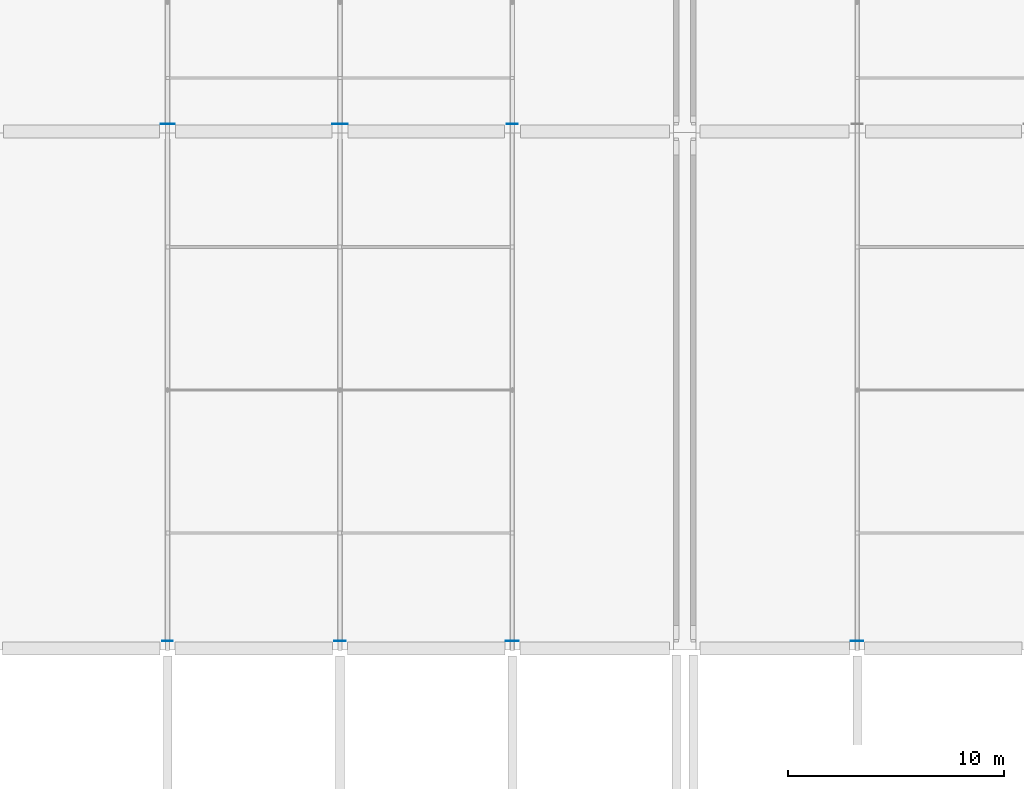
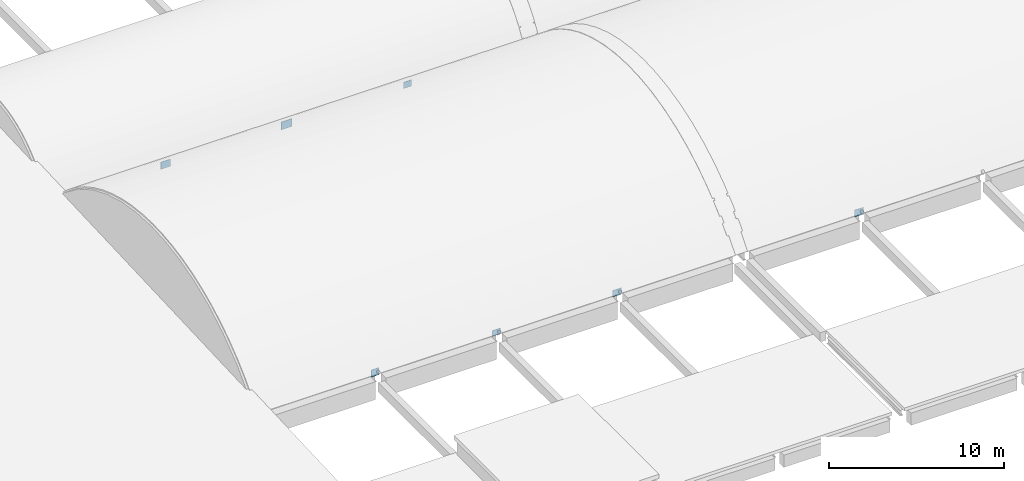
# One storey, part 45 of 57: 7 plates.
"""IFC4 building model written with IfcOpenShell, lengths in metres."""

from ifc_helpers import new_model, si_unit, direction, frame, origin, origin_2d, place, context, subcontext, project, spatial, rectangle, extrude, material, layer, layer_set, type_object, element, save


model = new_model("IFC4")

# Units and contexts
model_context = context("Model", 3, precision=1e-05, world=origin(), true_north=direction((0.0, 1.0)))
body_context = subcontext(model_context, "Body", "Model", "MODEL_VIEW")
ifc_project = project(units=[si_unit("LENGTHUNIT", "METRE"), si_unit("AREAUNIT", "SQUARE_METRE"), si_unit("VOLUMEUNIT", "CUBIC_METRE"), si_unit("PLANEANGLEUNIT", "RADIAN"), si_unit("MASSUNIT", "GRAM", prefix="KILO"), si_unit("THERMODYNAMICTEMPERATUREUNIT", "KELVIN"), si_unit("POWERUNIT", "WATT")], contexts=[model_context])

# Site, building, storey
site_placement = place(None, origin())
site = spatial("IfcSite", under=ifc_project, at=site_placement, CompositionType="ELEMENT")
building_placement = place(site_placement, origin())
building = spatial("IfcBuilding", under=site, at=building_placement, Name="Kronsvod Quay Wholesale Market", CompositionType="ELEMENT")
storey_placement = place(building_placement, frame((0.0, 0.0, 13.199951171875)))
storey = spatial("IfcBuildingStorey", under=building, at=storey_placement, Name="L03", CompositionType="ELEMENT", Elevation=13.199951171875)

# Plates
ifc_material_1 = material(Name="Steel S355", Category="steel")
ifc_layer_1 = layer(ifc_material_1, 0.02197265625)
ifc_layer_set_1 = layer_set([ifc_layer_1], Name="Steel S355")
plate_type_1 = type_object("IfcPlateType", Name="GussetPlate_GP02", PredefinedType="SHEET", material=ifc_layer_set_1)
plate_1_placement = place(storey_placement, frame((40.0, 54.35009765625, -0.329833984375), z_axis=(0.0, 0.0, 1.0), x_axis=(1.0, 0.0, 0.0)))
element("IfcPlate", 1, at=plate_1_placement, inside=storey, type_object=plate_type_1, Name="GPL-0001", PredefinedType="SHEET", context=body_context, shape_type="SweptSolid", body=[
    extrude(rectangle(XDim=0.5, YDim=0.02197265625, at=origin_2d()), origin(), (0.0, 0.0, 1.0), 0.5),
])
ifc_material_2 = material(Name="Steel S355", Category="steel")
ifc_layer_2 = layer(ifc_material_2, 0.02392578125)
ifc_layer_set_2 = layer_set([ifc_layer_2], Name="Steel S355")
plate_type_2 = type_object("IfcPlateType", Name="GussetPlate_GP03", PredefinedType="SHEET", material=ifc_layer_set_2)
plate_2_placement = place(storey_placement, frame((48.0, 54.35009765625, -0.27978515625), z_axis=(0.0, 0.0, 1.0), x_axis=(1.0, 0.0, 0.0)))
element("IfcPlate", 2, at=plate_2_placement, inside=storey, type_object=plate_type_2, Name="GPL-0002", PredefinedType="SHEET", context=body_context, shape_type="SweptSolid", body=[
    extrude(rectangle(XDim=0.550048828125, YDim=0.02392578125, at=origin_2d()), origin(), (0.0, 0.0, 1.0), 0.39990234375),
])
ifc_material_3 = material(Name="Steel S355", Category="steel")
ifc_layer_3 = layer(ifc_material_3, 0.02490234375)
ifc_layer_set_3 = layer_set([ifc_layer_3], Name="Steel S355")
plate_type_3 = type_object("IfcPlateType", Name="GussetPlate_GP04", PredefinedType="SHEET", material=ifc_layer_set_3)
plate_3_placement = place(storey_placement, frame((56.0, 54.35009765625, -0.3046875), z_axis=(0.0, 0.0, 1.0), x_axis=(1.0, 0.0, 0.0)))
element("IfcPlate", 3, at=plate_3_placement, inside=storey, type_object=plate_type_3, Name="GPL-0003", PredefinedType="SHEET", context=body_context, shape_type="SweptSolid", body=[
    extrude(rectangle(XDim=0.60009765625, YDim=0.02490234375, at=origin_2d()), origin(), (0.0, 0.0, 1.0), 0.449951171875),
])
ifc_material_4 = material(Name="Steel S355", Category="steel")
ifc_layer_4 = layer(ifc_material_4, 0.028076171875)
ifc_layer_set_4 = layer_set([ifc_layer_4], Name="Steel S355")
plate_type_4 = type_object("IfcPlateType", Name="GussetPlate_GP05", PredefinedType="SHEET", material=ifc_layer_set_4)
plate_4_placement = place(storey_placement, frame((40.0, 78.35009765625, -0.329833984375), z_axis=(0.0, 0.0, 1.0), x_axis=(1.0, 0.0, 0.0)))
element("IfcPlate", 4, at=plate_4_placement, inside=storey, type_object=plate_type_4, Name="GPL-0004", PredefinedType="SHEET", context=body_context, shape_type="SweptSolid", body=[
    extrude(rectangle(XDim=0.64990234375, YDim=0.028076171875, at=origin_2d()), origin(), (0.0, 0.0, 1.0), 0.5),
])
ifc_material_5 = material(Name="Steel S355", Category="steel")
ifc_layer_5 = layer(ifc_material_5, 0.030029296875)
ifc_layer_set_5 = layer_set([ifc_layer_5], Name="Steel S355")
plate_type_5 = type_object("IfcPlateType", Name="GussetPlate_GP06", PredefinedType="SHEET", material=ifc_layer_set_5)
plate_5_placement = place(storey_placement, frame((48.0, 78.35009765625, -0.35498046875), z_axis=(0.0, 0.0, 1.0), x_axis=(1.0, 0.0, 0.0)))
element("IfcPlate", 5, at=plate_5_placement, inside=storey, type_object=plate_type_5, Name="GPL-0005", PredefinedType="SHEET", context=body_context, shape_type="SweptSolid", body=[
    extrude(rectangle(XDim=0.699951171875, YDim=0.030029296875, at=origin_2d()), origin(), (0.0, 0.0, 1.0), 0.550048828125),
])
ifc_material_6 = material(Name="Steel S355", Category="steel")
ifc_layer_6 = layer(ifc_material_6, 0.02197265625)
ifc_layer_set_6 = layer_set([ifc_layer_6], Name="Steel S355")
plate_type_6 = type_object("IfcPlateType", Name="GussetPlate_GP07", PredefinedType="SHEET", material=ifc_layer_set_6)
plate_6_placement = place(storey_placement, frame((56.0, 78.35009765625, -0.2998046875), z_axis=(0.0, 0.0, 1.0), x_axis=(1.0, 0.0, 0.0)))
element("IfcPlate", 6, at=plate_6_placement, inside=storey, type_object=plate_type_6, Name="GPL-0006", PredefinedType="SHEET", context=body_context, shape_type="SweptSolid", body=[
    extrude(rectangle(XDim=0.52001953125, YDim=0.02197265625, at=origin_2d()), origin(), (0.0, 0.0, 1.0), 0.43994140625),
])
ifc_material_7 = material(Name="Steel S355", Category="steel")
ifc_layer_7 = layer(ifc_material_7, 0.02587890625)
ifc_layer_set_7 = layer_set([ifc_layer_7], Name="Steel S355")
plate_type_7 = type_object("IfcPlateType", Name="GussetPlate_GP08", PredefinedType="SHEET", material=ifc_layer_set_7)
plate_7_placement = place(storey_placement, frame((72.0, 54.35009765625, -0.31982421875), z_axis=(0.0, 0.0, 1.0), x_axis=(1.0, 0.0, 0.0)))
element("IfcPlate", 7, at=plate_7_placement, inside=storey, type_object=plate_type_7, Name="GPL-0007", PredefinedType="SHEET", context=body_context, shape_type="SweptSolid", body=[
    extrude(rectangle(XDim=0.580078125, YDim=0.02587890625, at=origin_2d()), origin(), (0.0, 0.0, 1.0), 0.47998046875),
])

save(model, "model.ifc")
